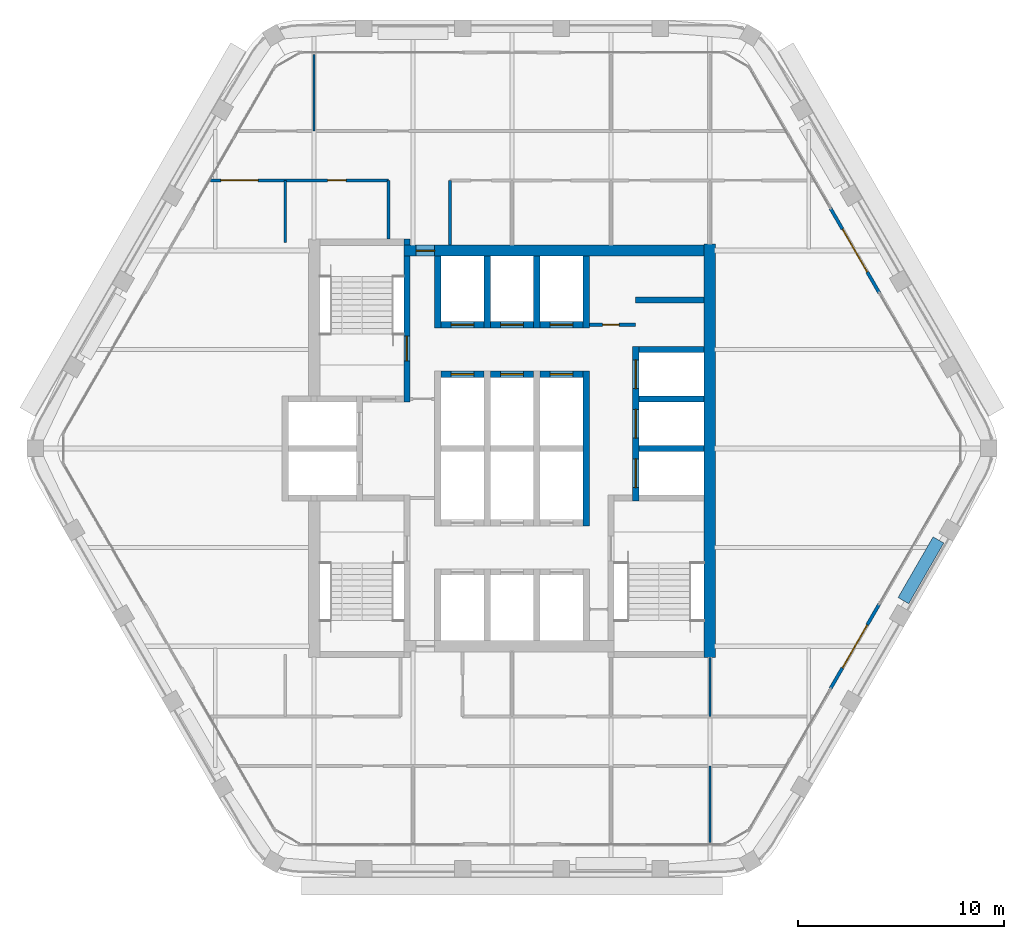
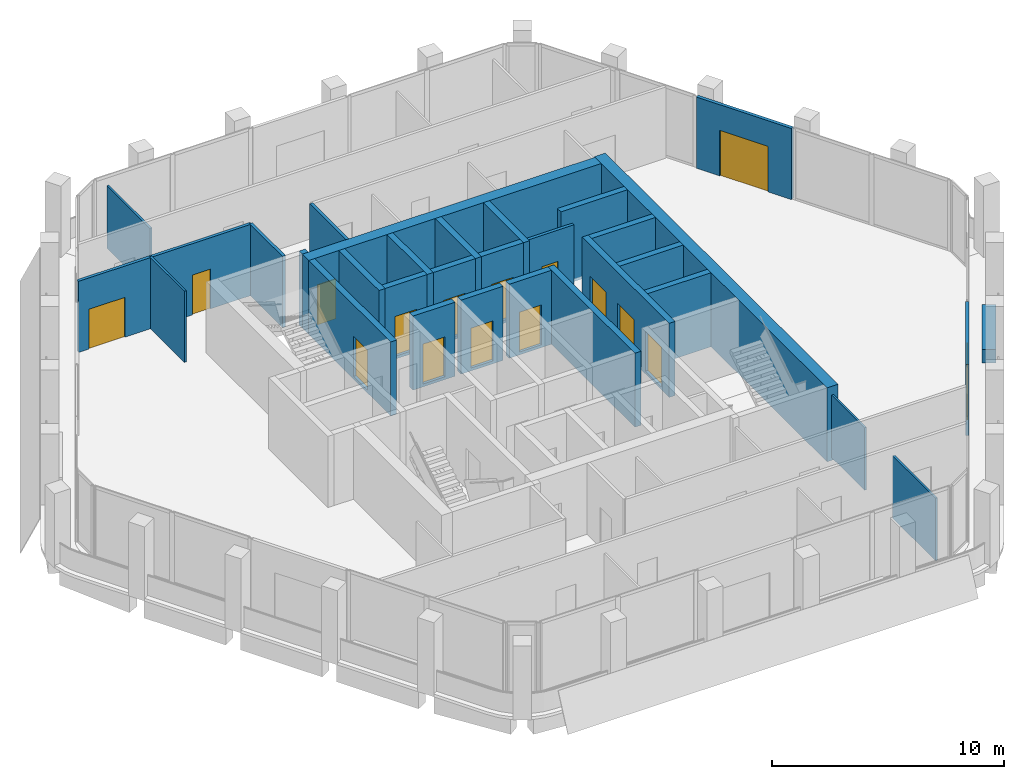
# One storey, part 9 of 13: 31 walls, 16 doors, 16 openings.
"""IFC4 building model written with IfcOpenShell, lengths in metres."""

from ifc_helpers import new_model, si_unit, direction, frame, frame_2d, origin, place, context, subcontext, project, spatial, rectangle, extrude, material, layer, layer_set, type_object, element, fill, save


model = new_model("IFC4")

# Units and contexts
model_context = context("Model", 3, precision=1e-05, world=origin(), true_north=direction((0.0, 1.0)))
body_context = subcontext(model_context, "Body", "Model", "MODEL_VIEW")
ifc_project = project(units=[si_unit("LENGTHUNIT", "METRE"), si_unit("AREAUNIT", "SQUARE_METRE"), si_unit("VOLUMEUNIT", "CUBIC_METRE"), si_unit("PLANEANGLEUNIT", "RADIAN"), si_unit("MASSUNIT", "GRAM", prefix="KILO")], contexts=[model_context])

# Site, building, storey
site_placement = place(None, origin())
site = spatial("IfcSite", under=ifc_project, at=site_placement, CompositionType="ELEMENT")
building_placement = place(site_placement, origin())
building = spatial("IfcBuilding", under=site, at=building_placement, Name="Kolab Exchange Tower", CompositionType="ELEMENT")
storey_placement = place(building_placement, frame((0.0, 0.0, 289.10009765625)))
storey = spatial("IfcBuildingStorey", under=building, at=storey_placement, Name="L65", CompositionType="ELEMENT", Elevation=289.10009765625)

# Wall, opening, door
ifc_material_1 = material(Name="Concrete C50/60", Category="concrete")
ifc_layer_1 = layer(ifc_material_1, 0.550048828125)
ifc_layer_set_1 = layer_set([ifc_layer_1], Name="Concrete C50/60")
wall_type_1 = type_object("IfcWallType", Name="CORE WALL 550 C50/60", PredefinedType="SHEAR", material=ifc_layer_set_1)
wall_1_placement = place(storey_placement, frame((-5.25, 9.60009765625, -0.150146484375), z_axis=(0.0, 0.0, 1.0), x_axis=(1.0, 0.0, 0.0)))
wall_1 = element("IfcWall", 1, at=wall_1_placement, inside=storey, type_object=wall_type_1, Name="wall/L65/core/031", PredefinedType="SHEAR", context=body_context, shape_type="SweptSolid", body=[
    extrude(rectangle(XDim=14.574951171875, YDim=0.550048828125, at=frame_2d((7.28759765625, 0.0))), origin(), (0.0, 0.0, 1.0), 3.900146484375),
])
opening_1_placement = place(wall_1_placement, frame((0.60009765625, 0.0, 0.14990234375)))
opening_1 = element("IfcOpeningElement", 2, at=opening_1_placement, cuts=wall_1, Name="Opening D6-295", PredefinedType="OPENING", context=body_context, shape_type="SweptSolid", body=[
    extrude(rectangle(XDim=0.89990234375, YDim=2.10009765625, at=frame_2d((0.449951171875, 1.050048828125))), frame((0.0, 0.28515625, 0.0), z_axis=(0.0, -1.0, 0.0), x_axis=(1.0, 0.0, 0.0)), (0.0, 0.0, 1.0), 0.570068359375),
])
ifc_material_2 = material(Name="Steel S235", Category="steel")
door_type_1 = type_object("IfcDoorType", Name="CORE DOOR 900 EI 120", OperationType="SINGLE_SWING_LEFT", PredefinedType="DOOR", material=ifc_material_2)
door_1_placement = place(opening_1_placement, frame((0.89990234375, 0.0, 0.0), z_axis=(0.0, 0.0, 1.0), x_axis=(-1.0, 0.0, 0.0)))
door_1 = element("IfcDoor", 3, at=door_1_placement, inside=storey, type_object=door_type_1, Name="Core lobby door", OperationType="SINGLE_SWING_RIGHT", OverallHeight=2.10009765625, OverallWidth=0.89990234375, PredefinedType="DOOR", context=body_context, shape_type="SweptSolid", body=[
    extrude(rectangle(XDim=0.89990234375, YDim=2.10009765625, at=frame_2d((0.449951171875, 1.050048828125))), frame((0.0, 0.02490234375, 0.0), z_axis=(0.0, -1.0, 0.0), x_axis=(1.0, 0.0, 0.0)), (0.0, 0.0, 1.0), 0.050048828125),
])
fill(opening_1, door_1)

# Wall
wall_2_placement = place(storey_placement, frame((9.60009765625, -10.14990234375, -0.150146484375), z_axis=(0.0, 0.0, 1.0), x_axis=(0.0, 1.0, 0.0)))
element("IfcWall", 4, at=wall_2_placement, inside=storey, type_object=wall_type_1, Name="wall/L65/core/058", PredefinedType="SHEAR", context=body_context, shape_type="SweptSolid", body=[
    extrude(rectangle(XDim=20.074951171875, YDim=0.550048828125, at=frame_2d((10.03759765625, 0.0))), origin(), (0.0, 0.0, 1.0), 3.900146484375),
])

# Wall, opening, door
ifc_material_3 = material(Name="Aluminium EN AW-6063 T6", Category="aluminium")
ifc_layer_2 = layer(ifc_material_3, 0.159912109375)
ifc_layer_set_2 = layer_set([ifc_layer_2], Name="Aluminium EN AW-6063 T6")
wall_type_2 = type_object("IfcWallType", Name="DOOR SURROUND WALL 160 ALUMINIUM FRAMED", PredefinedType="PARTITIONING", material=ifc_layer_set_2)
wall_3_placement = place(storey_placement, frame((15.44677734375, 11.65478515625, 0.0), z_axis=(0.0, 0.0, 1.0), x_axis=(0.499978080042, -0.866038058908, 0.0)))
wall_3 = element("IfcWall", 5, at=wall_3_placement, inside=storey, type_object=wall_type_2, Name="Door surround wall", PredefinedType="PARTITIONING", context=body_context, shape_type="SweptSolid", body=[
    extrude(rectangle(XDim=4.739990234375, YDim=0.159912109375, at=frame_2d((2.3701171875, 0.0))), origin(), (0.0, 0.0, 1.0), 3.75),
])
opening_2_placement = place(wall_3_placement, frame((1.169921875, 0.0, 0.0)))
opening_2 = element("IfcOpeningElement", 6, at=opening_2_placement, cuts=wall_3, Name="Opening GD1-090", PredefinedType="OPENING", context=body_context, shape_type="SweptSolid", body=[
    extrude(rectangle(XDim=2.39990234375, YDim=2.39990234375, at=frame_2d((1.199951171875, 1.199951171875))), frame((0.0, 0.08984375, 0.0), z_axis=(0.0, -1.0, 0.0), x_axis=(1.0, 0.0, 0.0)), (0.0, 0.0, 1.0), 0.179931640625),
])
door_type_2 = type_object("IfcDoorType", Name="LOGGIA SLIDING GLASS DOOR 2400 X 2400", OperationType="DOUBLE_DOOR_SINGLE_SWING", PredefinedType="DOOR", material=ifc_material_3)
door_2_placement = place(opening_2_placement, origin())
door_2 = element("IfcDoor", 7, at=door_2_placement, inside=storey, type_object=door_type_2, Name="Loggia door", OperationType="DOUBLE_DOOR_SLIDING", OverallHeight=2.39990234375, OverallWidth=2.39990234375, PredefinedType="DOOR", context=body_context, shape_type="SweptSolid", body=[
    extrude(rectangle(XDim=2.39990234375, YDim=2.39990234375, at=frame_2d((1.199951171875, 1.199951171875))), frame((0.0, 0.02490234375, 0.0), z_axis=(0.0, -1.0, 0.0), x_axis=(1.0, 0.0, 0.0)), (0.0, 0.0, 1.0), 0.050048828125),
])
fill(opening_2, door_2)

wall_4_placement = place(storey_placement, frame((17.816650390625, -7.5498046875, 0.0), z_axis=(0.0, 0.0, 1.0), x_axis=(-0.499978080042, -0.866038058908, 0.0)))
wall_4 = element("IfcWall", 8, at=wall_4_placement, inside=storey, type_object=wall_type_2, Name="Door surround wall", PredefinedType="PARTITIONING", context=body_context, shape_type="SweptSolid", body=[
    extrude(rectangle(XDim=4.739990234375, YDim=0.159912109375, at=frame_2d((2.3701171875, 0.0))), origin(), (0.0, 0.0, 1.0), 3.75),
])
opening_3_placement = place(wall_4_placement, frame((1.169921875, 0.0, 0.0)))
opening_3 = element("IfcOpeningElement", 9, at=opening_3_placement, cuts=wall_4, Name="Opening GD1-091", PredefinedType="OPENING", context=body_context, shape_type="SweptSolid", body=[
    extrude(rectangle(XDim=2.39990234375, YDim=2.39990234375, at=frame_2d((1.199951171875, 1.199951171875))), frame((0.0, 0.08984375, 0.0), z_axis=(0.0, -1.0, 0.0), x_axis=(1.0, 0.0, 0.0)), (0.0, 0.0, 1.0), 0.179931640625),
])
door_3_placement = place(opening_3_placement, origin())
door_3 = element("IfcDoor", 10, at=door_3_placement, inside=storey, type_object=door_type_2, Name="Loggia door", OperationType="DOUBLE_DOOR_SLIDING", OverallHeight=2.39990234375, OverallWidth=2.39990234375, PredefinedType="DOOR", context=body_context, shape_type="SweptSolid", body=[
    extrude(rectangle(XDim=2.39990234375, YDim=2.39990234375, at=frame_2d((1.199951171875, 1.199951171875))), frame((0.0, 0.02490234375, 0.0), z_axis=(0.0, -1.0, 0.0), x_axis=(1.0, 0.0, 0.0)), (0.0, 0.0, 1.0), 0.050048828125),
])
fill(opening_3, door_3)

# Walls
ifc_layer_3 = layer(ifc_material_1, 0.300048828125)
ifc_layer_set_3 = layer_set([ifc_layer_3], Name="Concrete C50/60")
wall_type_3 = type_object("IfcWallType", Name="LIFT SHAFT WALL 300 C50/60", PredefinedType="STANDARD", material=ifc_layer_set_3)
for number, where, z_axis, x_axis, name in (
    (11, (6.14990234375, 0.0, -0.150146484375), (0.0, 0.0, 1.0), (1.0, 0.0, 0.0), "wall/L65/core/018"),
    (12, (6.14990234375, 2.39990234375, -0.150146484375), (0.0, 0.0, 1.0), (1.0, 0.0, 0.0), "wall/L65/core/022"),
):
    element("IfcWall", number, at=place(storey_placement, frame(where, z_axis=z_axis, x_axis=x_axis)), inside=storey, type_object=wall_type_3, Name=name, PredefinedType="STANDARD", context=body_context, shape_type="SweptSolid", body=[
        extrude(rectangle(XDim=3.175048828125, YDim=0.300048828125, at=frame_2d((1.58740234375, 0.0))), origin(), (0.0, 0.0, 1.0), 3.900146484375),
    ])

# Wall, opening, door
wall_5_placement = place(storey_placement, frame((-3.449951171875, 3.60009765625, -0.150146484375), z_axis=(0.0, 0.0, 1.0), x_axis=(1.0, 0.0, 0.0)))
wall_5 = element("IfcWall", 13, at=wall_5_placement, inside=storey, type_object=wall_type_3, Name="wall/L65/core/023", PredefinedType="STANDARD", context=body_context, shape_type="SweptSolid", body=[
    extrude(rectangle(XDim=2.099853515625, YDim=0.300048828125, at=frame_2d((1.0498046875, 0.0))), origin(), (0.0, 0.0, 1.0), 3.900146484375),
])
opening_4_placement = place(wall_5_placement, frame((0.5, 0.0, 0.14990234375)))
opening_4 = element("IfcOpeningElement", 14, at=opening_4_placement, cuts=wall_5, Name="Opening LD1-115", PredefinedType="OPENING", context=body_context, shape_type="SweptSolid", body=[
    extrude(rectangle(XDim=1.10009765625, YDim=2.10009765625, at=frame_2d((0.550048828125, 1.050048828125))), frame((0.0, 0.16015625, 0.0), z_axis=(0.0, -1.0, 0.0), x_axis=(1.0, 0.0, 0.0)), (0.0, 0.0, 1.0), 0.320068359375),
])
ifc_material_4 = material(Name="Stainless steel 316", Category="steel")
door_type_3 = type_object("IfcDoorType", Name="LANDING DOOR 1100 PASSENGER", OperationType="DOUBLE_DOOR_SLIDING", PredefinedType="DOOR", material=ifc_material_4)
door_4_placement = place(opening_4_placement, origin())
door_4 = element("IfcDoor", 15, at=door_4_placement, inside=storey, type_object=door_type_3, Name="Landing door HR4", OperationType="DOUBLE_DOOR_SLIDING", OverallHeight=2.10009765625, OverallWidth=1.10009765625, PredefinedType="DOOR", context=body_context, shape_type="SweptSolid", body=[
    extrude(rectangle(XDim=1.10009765625, YDim=2.10009765625, at=frame_2d((0.550048828125, 1.050048828125))), frame((0.0, 0.02490234375, 0.0), z_axis=(0.0, -1.0, 0.0), x_axis=(1.0, 0.0, 0.0)), (0.0, 0.0, 1.0), 0.050048828125),
])
fill(opening_4, door_4)

wall_6_placement = place(storey_placement, frame((-1.050048828125, 3.60009765625, -0.150146484375), z_axis=(0.0, 0.0, 1.0), x_axis=(1.0, 0.0, 0.0)))
wall_6 = element("IfcWall", 16, at=wall_6_placement, inside=storey, type_object=wall_type_3, Name="wall/L65/core/024", PredefinedType="STANDARD", context=body_context, shape_type="SweptSolid", body=[
    extrude(rectangle(XDim=2.10009765625, YDim=0.300048828125, at=frame_2d((1.050048828125, 0.0))), origin(), (0.0, 0.0, 1.0), 3.900146484375),
])
opening_5_placement = place(wall_6_placement, frame((0.5, 0.0, 0.14990234375)))
opening_5 = element("IfcOpeningElement", 17, at=opening_5_placement, cuts=wall_6, Name="Opening LD1-116", PredefinedType="OPENING", context=body_context, shape_type="SweptSolid", body=[
    extrude(rectangle(XDim=1.10009765625, YDim=2.10009765625, at=frame_2d((0.550048828125, 1.050048828125))), frame((0.0, 0.16015625, 0.0), z_axis=(0.0, -1.0, 0.0), x_axis=(1.0, 0.0, 0.0)), (0.0, 0.0, 1.0), 0.320068359375),
])
door_5_placement = place(opening_5_placement, origin())
door_5 = element("IfcDoor", 18, at=door_5_placement, inside=storey, type_object=door_type_3, Name="Landing door HR5", OperationType="DOUBLE_DOOR_SLIDING", OverallHeight=2.10009765625, OverallWidth=1.10009765625, PredefinedType="DOOR", context=body_context, shape_type="SweptSolid", body=[
    extrude(rectangle(XDim=1.10009765625, YDim=2.10009765625, at=frame_2d((0.550048828125, 1.050048828125))), frame((0.0, 0.02490234375, 0.0), z_axis=(0.0, -1.0, 0.0), x_axis=(1.0, 0.0, 0.0)), (0.0, 0.0, 1.0), 0.050048828125),
])
fill(opening_5, door_5)

wall_7_placement = place(storey_placement, frame((1.35009765625, 3.60009765625, -0.150146484375), z_axis=(0.0, 0.0, 1.0), x_axis=(1.0, 0.0, 0.0)))
wall_7 = element("IfcWall", 19, at=wall_7_placement, inside=storey, type_object=wall_type_3, Name="wall/L65/core/025", PredefinedType="STANDARD", context=body_context, shape_type="SweptSolid", body=[
    extrude(rectangle(XDim=2.099853515625, YDim=0.300048828125, at=frame_2d((1.0498046875, 0.0))), origin(), (0.0, 0.0, 1.0), 3.900146484375),
])
opening_6_placement = place(wall_7_placement, frame((0.5, 0.0, 0.14990234375)))
opening_6 = element("IfcOpeningElement", 20, at=opening_6_placement, cuts=wall_7, Name="Opening LD1-117", PredefinedType="OPENING", context=body_context, shape_type="SweptSolid", body=[
    extrude(rectangle(XDim=1.10009765625, YDim=2.10009765625, at=frame_2d((0.550048828125, 1.050048828125))), frame((0.0, 0.16015625, 0.0), z_axis=(0.0, -1.0, 0.0), x_axis=(1.0, 0.0, 0.0)), (0.0, 0.0, 1.0), 0.320068359375),
])
door_6_placement = place(opening_6_placement, origin())
door_6 = element("IfcDoor", 21, at=door_6_placement, inside=storey, type_object=door_type_3, Name="Landing door HR6", OperationType="DOUBLE_DOOR_SLIDING", OverallHeight=2.10009765625, OverallWidth=1.10009765625, PredefinedType="DOOR", context=body_context, shape_type="SweptSolid", body=[
    extrude(rectangle(XDim=1.10009765625, YDim=2.10009765625, at=frame_2d((0.550048828125, 1.050048828125))), frame((0.0, 0.02490234375, 0.0), z_axis=(0.0, -1.0, 0.0), x_axis=(1.0, 0.0, 0.0)), (0.0, 0.0, 1.0), 0.050048828125),
])
fill(opening_6, door_6)

# Wall
wall_8_placement = place(storey_placement, frame((6.14990234375, 4.800048828125, -0.150146484375), z_axis=(0.0, 0.0, 1.0), x_axis=(1.0, 0.0, 0.0)))
element("IfcWall", 22, at=wall_8_placement, inside=storey, type_object=wall_type_3, Name="wall/L65/core/026", PredefinedType="STANDARD", context=body_context, shape_type="SweptSolid", body=[
    extrude(rectangle(XDim=3.175048828125, YDim=0.300048828125, at=frame_2d((1.58740234375, 0.0))), origin(), (0.0, 0.0, 1.0), 3.900146484375),
])

# Wall, opening, door
wall_9_placement = place(storey_placement, frame((-3.449951171875, 6.0, -0.150146484375), z_axis=(0.0, 0.0, 1.0), x_axis=(1.0, 0.0, 0.0)))
wall_9 = element("IfcWall", 23, at=wall_9_placement, inside=storey, type_object=wall_type_3, Name="wall/L65/core/027", PredefinedType="STANDARD", context=body_context, shape_type="SweptSolid", body=[
    extrude(rectangle(XDim=2.099853515625, YDim=0.300048828125, at=frame_2d((1.0498046875, 0.0))), origin(), (0.0, 0.0, 1.0), 3.900146484375),
])
opening_7_placement = place(wall_9_placement, frame((0.5, 0.0, 0.14990234375)))
opening_7 = element("IfcOpeningElement", 24, at=opening_7_placement, cuts=wall_9, Name="Opening LD1-109", PredefinedType="OPENING", context=body_context, shape_type="SweptSolid", body=[
    extrude(rectangle(XDim=1.10009765625, YDim=2.10009765625, at=frame_2d((0.550048828125, 1.050048828125))), frame((0.0, 0.16015625, 0.0), z_axis=(0.0, -1.0, 0.0), x_axis=(1.0, 0.0, 0.0)), (0.0, 0.0, 1.0), 0.320068359375),
])
door_7_placement = place(opening_7_placement, origin())
door_7 = element("IfcDoor", 25, at=door_7_placement, inside=storey, type_object=door_type_3, Name="Landing door HR1", OperationType="DOUBLE_DOOR_SLIDING", OverallHeight=2.10009765625, OverallWidth=1.10009765625, PredefinedType="DOOR", context=body_context, shape_type="SweptSolid", body=[
    extrude(rectangle(XDim=1.10009765625, YDim=2.10009765625, at=frame_2d((0.550048828125, 1.050048828125))), frame((0.0, 0.02490234375, 0.0), z_axis=(0.0, -1.0, 0.0), x_axis=(1.0, 0.0, 0.0)), (0.0, 0.0, 1.0), 0.050048828125),
])
fill(opening_7, door_7)

wall_10_placement = place(storey_placement, frame((-1.050048828125, 6.0, -0.150146484375), z_axis=(0.0, 0.0, 1.0), x_axis=(1.0, 0.0, 0.0)))
wall_10 = element("IfcWall", 26, at=wall_10_placement, inside=storey, type_object=wall_type_3, Name="wall/L65/core/028", PredefinedType="STANDARD", context=body_context, shape_type="SweptSolid", body=[
    extrude(rectangle(XDim=2.10009765625, YDim=0.300048828125, at=frame_2d((1.050048828125, 0.0))), origin(), (0.0, 0.0, 1.0), 3.900146484375),
])
opening_8_placement = place(wall_10_placement, frame((0.5, 0.0, 0.14990234375)))
opening_8 = element("IfcOpeningElement", 27, at=opening_8_placement, cuts=wall_10, Name="Opening LD1-113", PredefinedType="OPENING", context=body_context, shape_type="SweptSolid", body=[
    extrude(rectangle(XDim=1.10009765625, YDim=2.10009765625, at=frame_2d((0.550048828125, 1.050048828125))), frame((0.0, 0.16015625, 0.0), z_axis=(0.0, -1.0, 0.0), x_axis=(1.0, 0.0, 0.0)), (0.0, 0.0, 1.0), 0.320068359375),
])
door_8_placement = place(opening_8_placement, origin())
door_8 = element("IfcDoor", 28, at=door_8_placement, inside=storey, type_object=door_type_3, Name="Landing door HR2", OperationType="DOUBLE_DOOR_SLIDING", OverallHeight=2.10009765625, OverallWidth=1.10009765625, PredefinedType="DOOR", context=body_context, shape_type="SweptSolid", body=[
    extrude(rectangle(XDim=1.10009765625, YDim=2.10009765625, at=frame_2d((0.550048828125, 1.050048828125))), frame((0.0, 0.02490234375, 0.0), z_axis=(0.0, -1.0, 0.0), x_axis=(1.0, 0.0, 0.0)), (0.0, 0.0, 1.0), 0.050048828125),
])
fill(opening_8, door_8)

wall_11_placement = place(storey_placement, frame((1.35009765625, 6.0, -0.150146484375), z_axis=(0.0, 0.0, 1.0), x_axis=(1.0, 0.0, 0.0)))
wall_11 = element("IfcWall", 29, at=wall_11_placement, inside=storey, type_object=wall_type_3, Name="wall/L65/core/029", PredefinedType="STANDARD", context=body_context, shape_type="SweptSolid", body=[
    extrude(rectangle(XDim=2.099853515625, YDim=0.300048828125, at=frame_2d((1.0498046875, 0.0))), origin(), (0.0, 0.0, 1.0), 3.900146484375),
])
opening_9_placement = place(wall_11_placement, frame((0.5, 0.0, 0.14990234375)))
opening_9 = element("IfcOpeningElement", 30, at=opening_9_placement, cuts=wall_11, Name="Opening LD1-114", PredefinedType="OPENING", context=body_context, shape_type="SweptSolid", body=[
    extrude(rectangle(XDim=1.10009765625, YDim=2.10009765625, at=frame_2d((0.550048828125, 1.050048828125))), frame((0.0, 0.16015625, 0.0), z_axis=(0.0, -1.0, 0.0), x_axis=(1.0, 0.0, 0.0)), (0.0, 0.0, 1.0), 0.320068359375),
])
door_9_placement = place(opening_9_placement, origin())
door_9 = element("IfcDoor", 31, at=door_9_placement, inside=storey, type_object=door_type_3, Name="Landing door HR3", OperationType="DOUBLE_DOOR_SLIDING", OverallHeight=2.10009765625, OverallWidth=1.10009765625, PredefinedType="DOOR", context=body_context, shape_type="SweptSolid", body=[
    extrude(rectangle(XDim=1.10009765625, YDim=2.10009765625, at=frame_2d((0.550048828125, 1.050048828125))), frame((0.0, 0.02490234375, 0.0), z_axis=(0.0, -1.0, 0.0), x_axis=(1.0, 0.0, 0.0)), (0.0, 0.0, 1.0), 0.050048828125),
])
fill(opening_9, door_9)

# Walls
wall_12_placement = place(storey_placement, frame((6.0, 7.199951171875, -0.150146484375), z_axis=(0.0, 0.0, 1.0), x_axis=(1.0, 0.0, 0.0)))
element("IfcWall", 32, at=wall_12_placement, inside=storey, type_object=wall_type_3, Name="wall/L65/core/030", PredefinedType="STANDARD", context=body_context, shape_type="SweptSolid", body=[
    extrude(rectangle(XDim=3.324951171875, YDim=0.300048828125, at=frame_2d((1.66259765625, 0.0))), origin(), (0.0, 0.0, 1.0), 3.900146484375),
])
for number, where, z_axis, x_axis, name in (
    (33, (-3.60009765625, 5.85009765625, -0.150146484375), (0.0, 0.0, 1.0), (0.0, 1.0, 0.0), "wall/L65/core/045"),
    (34, (-1.199951171875, 5.85009765625, -0.150146484375), (0.0, 0.0, 1.0), (0.0, 1.0, 0.0), "wall/L65/core/048"),
    (35, (1.199951171875, 5.85009765625, -0.150146484375), (0.0, 0.0, 1.0), (0.0, 1.0, 0.0), "wall/L65/core/051"),
):
    element("IfcWall", number, at=place(storey_placement, frame(where, z_axis=z_axis, x_axis=x_axis)), inside=storey, type_object=wall_type_3, Name=name, PredefinedType="STANDARD", context=body_context, shape_type="SweptSolid", body=[
        extrude(rectangle(XDim=3.474853515625, YDim=0.300048828125, at=frame_2d((1.7373046875, 0.0))), origin(), (0.0, 0.0, 1.0), 3.900146484375),
    ])
wall_13_placement = place(storey_placement, frame((3.60009765625, -3.75, -0.150146484375), z_axis=(0.0, 0.0, 1.0), x_axis=(0.0, 1.0, 0.0)))
element("IfcWall", 36, at=wall_13_placement, inside=storey, type_object=wall_type_3, Name="wall/L65/core/053", PredefinedType="STANDARD", context=body_context, shape_type="SweptSolid", body=[
    extrude(rectangle(XDim=7.5, YDim=0.300048828125, at=frame_2d((3.75, 0.0))), origin(), (0.0, 0.0, 1.0), 3.900146484375),
])
wall_14_placement = place(storey_placement, frame((3.60009765625, 5.85009765625, -0.150146484375), z_axis=(0.0, 0.0, 1.0), x_axis=(0.0, 1.0, 0.0)))
element("IfcWall", 37, at=wall_14_placement, inside=storey, type_object=wall_type_3, Name="wall/L65/core/054", PredefinedType="STANDARD", context=body_context, shape_type="SweptSolid", body=[
    extrude(rectangle(XDim=3.474853515625, YDim=0.300048828125, at=frame_2d((1.7373046875, 0.0))), origin(), (0.0, 0.0, 1.0), 3.900146484375),
])

# Wall, openings, doors
wall_15_placement = place(storey_placement, frame((6.0, -2.550048828125, -0.150146484375), z_axis=(0.0, 0.0, 1.0), x_axis=(0.0, 1.0, 0.0)))
wall_15 = element("IfcWall", 38, at=wall_15_placement, inside=storey, type_object=wall_type_3, Name="wall/L65/core/057", PredefinedType="STANDARD", context=body_context, shape_type="SweptSolid", body=[
    extrude(rectangle(XDim=7.5, YDim=0.300048828125, at=frame_2d((3.75, 0.0))), origin(), (0.0, 0.0, 1.0), 3.900146484375),
])
opening_10_placement = place(wall_15_placement, frame((0.64990234375, 0.0, 0.14990234375)))
opening_10 = element("IfcOpeningElement", 39, at=opening_10_placement, cuts=wall_15, Name="Opening LD3-037", PredefinedType="OPENING", context=body_context, shape_type="SweptSolid", body=[
    extrude(rectangle(XDim=1.39990234375, YDim=2.10009765625, at=frame_2d((0.699951171875, 1.050048828125))), frame((0.0, 0.16015625, 0.0), z_axis=(0.0, -1.0, 0.0), x_axis=(1.0, 0.0, 0.0)), (0.0, 0.0, 1.0), 0.320068359375),
])
opening_11_placement = place(wall_15_placement, frame((3.050048828125, 0.0, 0.14990234375)))
opening_11 = element("IfcOpeningElement", 40, at=opening_11_placement, cuts=wall_15, Name="Opening LD3-038", PredefinedType="OPENING", context=body_context, shape_type="SweptSolid", body=[
    extrude(rectangle(XDim=1.39990234375, YDim=2.10009765625, at=frame_2d((0.699951171875, 1.050048828125))), frame((0.0, 0.16015625, 0.0), z_axis=(0.0, -1.0, 0.0), x_axis=(1.0, 0.0, 0.0)), (0.0, 0.0, 1.0), 0.320068359375),
])
opening_12_placement = place(wall_15_placement, frame((5.449951171875, 0.0, 0.14990234375)))
opening_12 = element("IfcOpeningElement", 41, at=opening_12_placement, cuts=wall_15, Name="Opening LD3-039", PredefinedType="OPENING", context=body_context, shape_type="SweptSolid", body=[
    extrude(rectangle(XDim=1.39990234375, YDim=2.10009765625, at=frame_2d((0.699951171875, 1.050048828125))), frame((0.0, 0.16015625, 0.0), z_axis=(0.0, -1.0, 0.0), x_axis=(1.0, 0.0, 0.0)), (0.0, 0.0, 1.0), 0.320068359375),
])
door_type_4 = type_object("IfcDoorType", Name="LANDING DOOR 1400 SERVICE", OperationType="DOUBLE_DOOR_SLIDING", PredefinedType="DOOR", material=ifc_material_4)
door_10_placement = place(opening_10_placement, origin())
door_10 = element("IfcDoor", 42, at=door_10_placement, inside=storey, type_object=door_type_4, Name="Landing door SV1", OperationType="DOUBLE_DOOR_SLIDING", OverallHeight=2.10009765625, OverallWidth=1.39990234375, PredefinedType="DOOR", context=body_context, shape_type="SweptSolid", body=[
    extrude(rectangle(XDim=1.39990234375, YDim=2.10009765625, at=frame_2d((0.699951171875, 1.050048828125))), frame((0.0, 0.02490234375, 0.0), z_axis=(0.0, -1.0, 0.0), x_axis=(1.0, 0.0, 0.0)), (0.0, 0.0, 1.0), 0.050048828125),
])
fill(opening_10, door_10)
door_11_placement = place(opening_11_placement, origin())
door_11 = element("IfcDoor", 43, at=door_11_placement, inside=storey, type_object=door_type_4, Name="Landing door SV2", OperationType="DOUBLE_DOOR_SLIDING", OverallHeight=2.10009765625, OverallWidth=1.39990234375, PredefinedType="DOOR", context=body_context, shape_type="SweptSolid", body=[
    extrude(rectangle(XDim=1.39990234375, YDim=2.10009765625, at=frame_2d((0.699951171875, 1.050048828125))), frame((0.0, 0.02490234375, 0.0), z_axis=(0.0, -1.0, 0.0), x_axis=(1.0, 0.0, 0.0)), (0.0, 0.0, 1.0), 0.050048828125),
])
fill(opening_11, door_11)
door_12_placement = place(opening_12_placement, origin())
door_12 = element("IfcDoor", 44, at=door_12_placement, inside=storey, type_object=door_type_4, Name="Landing door SV3", OperationType="DOUBLE_DOOR_SLIDING", OverallHeight=2.10009765625, OverallWidth=1.39990234375, PredefinedType="DOOR", context=body_context, shape_type="SweptSolid", body=[
    extrude(rectangle(XDim=1.39990234375, YDim=2.10009765625, at=frame_2d((0.699951171875, 1.050048828125))), frame((0.0, 0.02490234375, 0.0), z_axis=(0.0, -1.0, 0.0), x_axis=(1.0, 0.0, 0.0)), (0.0, 0.0, 1.0), 0.050048828125),
])
fill(opening_12, door_12)

# Walls
ifc_material_5 = material(Name="Gypsum board", Category="gypsum")
ifc_layer_4 = layer(ifc_material_5, 0.10009765625)
ifc_layer_set_4 = layer_set([ifc_layer_4], Name="Gypsum board")
wall_type_4 = type_object("IfcWallType", Name="PARTITION 100", PredefinedType="PARTITIONING", material=ifc_layer_set_4)
wall_16_placement = place(storey_placement, frame((9.60009765625, -19.114501953125, 0.0), z_axis=(0.0, 0.0, 1.0), x_axis=(0.0, 1.0, 0.0)))
element("IfcWall", 45, at=wall_16_placement, inside=storey, type_object=wall_type_4, Name="Partition 000", PredefinedType="PARTITIONING", context=body_context, shape_type="SweptSolid", body=[
    extrude(rectangle(XDim=3.714599609375, YDim=0.10009765625, at=frame_2d((1.857421875, 0.0))), origin(), (0.0, 0.0, 1.0), 3.29296875),
])
wall_17_placement = place(storey_placement, frame((9.60009765625, -13.0, 0.0), z_axis=(0.0, 0.0, 1.0), x_axis=(0.0, 1.0, 0.0)))
element("IfcWall", 46, at=wall_17_placement, inside=storey, type_object=wall_type_4, Name="Partition 001", PredefinedType="PARTITIONING", context=body_context, shape_type="SweptSolid", body=[
    extrude(rectangle(XDim=2.85009765625, YDim=0.10009765625, at=frame_2d((1.425048828125, 0.0))), origin(), (0.0, 0.0, 1.0), 3.29296875),
])
wall_18_placement = place(storey_placement, frame((-9.60009765625, 15.39990234375, 0.0), z_axis=(0.0, 0.0, 1.0), x_axis=(0.0, 1.0, 0.0)))
element("IfcWall", 47, at=wall_18_placement, inside=storey, type_object=wall_type_4, Name="Partition 015", PredefinedType="PARTITIONING", context=body_context, shape_type="SweptSolid", body=[
    extrude(rectangle(XDim=3.714599609375, YDim=0.10009765625, at=frame_2d((1.857421875, 0.0))), origin(), (0.0, 0.0, 1.0), 3.29296875),
])
wall_19_placement = place(storey_placement, frame((-11.0, 10.0, 0.0), z_axis=(0.0, 0.0, 1.0), x_axis=(0.0, 1.0, 0.0)))
element("IfcWall", 48, at=wall_19_placement, inside=storey, type_object=wall_type_4, Name="Partition 017", PredefinedType="PARTITIONING", context=body_context, shape_type="SweptSolid", body=[
    extrude(rectangle(XDim=3.0, YDim=0.10009765625, at=frame_2d((1.5, 0.0))), origin(), (0.0, 0.0, 1.0), 3.75),
])
ifc_layer_5 = layer(ifc_material_5, 0.14990234375)
ifc_layer_set_5 = layer_set([ifc_layer_5], Name="Gypsum board")
wall_type_5 = type_object("IfcWallType", Name="PARTITION 150 FIRE-RATED", PredefinedType="PARTITIONING", material=ifc_layer_set_5)
wall_20_placement = place(storey_placement, frame((-3.0, 9.875, 0.0), z_axis=(0.0, 0.0, 1.0), x_axis=(0.0, 1.0, 0.0)))
element("IfcWall", 49, at=wall_20_placement, inside=storey, type_object=wall_type_5, Name="Partition 011", PredefinedType="PARTITIONING", context=body_context, shape_type="SweptSolid", body=[
    extrude(rectangle(XDim=3.125, YDim=0.14990234375, at=frame_2d((1.5625, 0.0))), origin(), (0.0, 0.0, 1.0), 3.75),
])
wall_21_placement = place(storey_placement, frame((-6.0, 10.14990234375, 0.0), z_axis=(0.0, 0.0, 1.0), x_axis=(0.0, 1.0, 0.0)))
element("IfcWall", 50, at=wall_21_placement, inside=storey, type_object=wall_type_5, Name="Partition 014", PredefinedType="PARTITIONING", context=body_context, shape_type="SweptSolid", body=[
    extrude(rectangle(XDim=2.85009765625, YDim=0.14990234375, at=frame_2d((1.425048828125, 0.0))), origin(), (0.0, 0.0, 1.0), 3.75),
])

# Wall, opening, door
wall_22_placement = place(storey_placement, frame((3.75, 6.0, 0.0), z_axis=(0.0, 0.0, 1.0), x_axis=(1.0, 0.0, 0.0)))
wall_22 = element("IfcWall", 51, at=wall_22_placement, inside=storey, type_object=wall_type_5, Name="Partition 022", PredefinedType="PARTITIONING", context=body_context, shape_type="SweptSolid", body=[
    extrude(rectangle(XDim=2.25, YDim=0.14990234375, at=frame_2d((1.125, 0.0))), origin(), (0.0, 0.0, 1.0), 3.75),
])
opening_13_placement = place(wall_22_placement, frame((0.64990234375, 0.0, 0.0)))
opening_13 = element("IfcOpeningElement", 52, at=opening_13_placement, cuts=wall_22, Name="Opening D7-036", PredefinedType="OPENING", context=body_context, shape_type="SweptSolid", body=[
    extrude(rectangle(XDim=0.800048828125, YDim=2.10009765625, at=frame_2d((0.39990234375, 1.050048828125))), frame((0.0, 0.0849609375, 0.0), z_axis=(0.0, -1.0, 0.0), x_axis=(1.0, 0.0, 0.0)), (0.0, 0.0, 1.0), 0.169921875),
])
door_type_5 = type_object("IfcDoorType", Name="FLUSH DOOR 800 FD60", OperationType="SINGLE_SWING_LEFT", PredefinedType="DOOR", material=ifc_material_2)
door_13_placement = place(opening_13_placement, origin())
door_13 = element("IfcDoor", 53, at=door_13_placement, inside=storey, type_object=door_type_5, Name="Door L65-023", OperationType="SINGLE_SWING_LEFT", OverallHeight=2.10009765625, OverallWidth=0.800048828125, PredefinedType="DOOR", context=body_context, shape_type="SweptSolid", body=[
    extrude(rectangle(XDim=0.800048828125, YDim=2.10009765625, at=frame_2d((0.39990234375, 1.050048828125))), frame((0.0, 0.02490234375, 0.0), z_axis=(0.0, -1.0, 0.0), x_axis=(1.0, 0.0, 0.0)), (0.0, 0.0, 1.0), 0.050048828125),
])
fill(opening_13, door_13)

# Wall, openings, doors
wall_23_placement = place(storey_placement, frame((-14.623779296875, 13.0, 0.0), z_axis=(0.0, 0.0, 1.0), x_axis=(1.0, 0.0, 0.0)))
wall_23 = element("IfcWall", 54, at=wall_23_placement, inside=storey, type_object=wall_type_5, Name="Partition 023", PredefinedType="PARTITIONING", context=body_context, shape_type="SweptSolid", body=[
    extrude(rectangle(XDim=8.623779296875, YDim=0.14990234375, at=frame_2d((4.31201171875, 0.0))), origin(), (0.0, 0.0, 1.0), 3.75),
])
opening_14_placement = place(wall_23_placement, frame((5.673828125, 0.0, 0.0)))
opening_14 = element("IfcOpeningElement", 55, at=opening_14_placement, cuts=wall_23, Name="Opening D3-094", PredefinedType="OPENING", context=body_context, shape_type="SweptSolid", body=[
    extrude(rectangle(XDim=0.89990234375, YDim=2.10009765625, at=frame_2d((0.449951171875, 1.050048828125))), frame((0.0, 0.0849609375, 0.0), z_axis=(0.0, -1.0, 0.0), x_axis=(1.0, 0.0, 0.0)), (0.0, 0.0, 1.0), 0.169921875),
])
opening_15_placement = place(wall_23_placement, frame((0.501953125, 0.0, 0.0)))
opening_15 = element("IfcOpeningElement", 56, at=opening_15_placement, cuts=wall_23, Name="Opening D2-079", PredefinedType="OPENING", context=body_context, shape_type="SweptSolid", body=[
    extrude(rectangle(XDim=1.800048828125, YDim=2.10009765625, at=frame_2d((0.89990234375, 1.050048828125))), frame((0.0, 0.0849609375, 0.0), z_axis=(0.0, -1.0, 0.0), x_axis=(1.0, 0.0, 0.0)), (0.0, 0.0, 1.0), 0.169921875),
])
door_type_6 = type_object("IfcDoorType", Name="DOUBLE DOOR 1800 FD60", OperationType="DOUBLE_DOOR_SINGLE_SWING", PredefinedType="DOOR", material=ifc_material_2)
door_14_placement = place(opening_15_placement, frame((1.800048828125, 0.0, 0.0), z_axis=(0.0, 0.0, 1.0), x_axis=(-1.0, 0.0, 0.0)))
door_14 = element("IfcDoor", 57, at=door_14_placement, inside=storey, type_object=door_type_6, Name="Door L65-048", OperationType="SINGLE_SWING_LEFT", OverallHeight=2.10009765625, OverallWidth=1.800048828125, PredefinedType="DOOR", context=body_context, shape_type="SweptSolid", body=[
    extrude(rectangle(XDim=1.800048828125, YDim=2.10009765625, at=frame_2d((0.89990234375, 1.050048828125))), frame((0.0, 0.02490234375, 0.0), z_axis=(0.0, -1.0, 0.0), x_axis=(1.0, 0.0, 0.0)), (0.0, 0.0, 1.0), 0.050048828125),
])
fill(opening_15, door_14)
door_type_7 = type_object("IfcDoorType", Name="FLUSH DOOR 900 FD60", OperationType="SINGLE_SWING_LEFT", PredefinedType="DOOR", material=ifc_material_2)
door_15_placement = place(opening_14_placement, frame((0.89990234375, 0.0, 0.0), z_axis=(0.0, 0.0, 1.0), x_axis=(-1.0, 0.0, 0.0)))
door_15 = element("IfcDoor", 58, at=door_15_placement, inside=storey, type_object=door_type_7, Name="Door L65-034", OperationType="SINGLE_SWING_LEFT", OverallHeight=2.10009765625, OverallWidth=0.89990234375, PredefinedType="DOOR", context=body_context, shape_type="SweptSolid", body=[
    extrude(rectangle(XDim=0.89990234375, YDim=2.10009765625, at=frame_2d((0.449951171875, 1.050048828125))), frame((0.0, 0.02490234375, 0.0), z_axis=(0.0, -1.0, 0.0), x_axis=(1.0, 0.0, 0.0)), (0.0, 0.0, 1.0), 0.050048828125),
])
fill(opening_14, door_15)

# Wall
ifc_material_6 = material(Name="Granite facing", Category="masonry")
ifc_layer_6 = layer(ifc_material_6, 0.0400390625)
ifc_material_7 = material(Name="Concrete C40/50 precast", Category="concrete")
ifc_layer_7 = layer(ifc_material_7, 0.56005859375)
ifc_layer_set_6 = layer_set([ifc_layer_6, ifc_layer_7], Name="Concrete C40/50 precast")
wall_type_6 = type_object("IfcWallType", Name="PLANTER BOX 600 X 700 SOIL DEPTH 550", PredefinedType="USERDEFINED", material=ifc_layer_set_6)
wall_24_placement = place(storey_placement, frame((20.68701171875, -4.438232421875, 0.0), z_axis=(0.0, 0.0, 1.0), x_axis=(-0.500008388397, -0.866020560687, 0.0)))
element("IfcWall", 59, at=wall_24_placement, inside=storey, type_object=wall_type_6, Name="Planter", ObjectType="PLANTER", PredefinedType="USERDEFINED", context=body_context, shape_type="SweptSolid", body=[
    extrude(rectangle(XDim=3.39990234375, YDim=0.60009765625, at=frame_2d((1.699951171875, 0.0))), origin(), (0.0, 0.0, 1.0), 0.699951171875),
])

# Wall, opening, door
ifc_layer_8 = layer(ifc_material_1, 0.300048828125)
ifc_layer_set_7 = layer_set([ifc_layer_8], Name="Concrete C50/60")
wall_type_7 = type_object("IfcWallType", Name="STAIR ENCLOSURE WALL 300 C50/60", PredefinedType="STANDARD", material=ifc_layer_set_7)
wall_25_placement = place(storey_placement, frame((-5.10009765625, 2.25, -0.150146484375), z_axis=(0.0, 0.0, 1.0), x_axis=(0.0, 1.0, 0.0)))
wall_25 = element("IfcWall", 60, at=wall_25_placement, inside=storey, type_object=wall_type_7, Name="wall/L65/core/041", PredefinedType="STANDARD", context=body_context, shape_type="SweptSolid", body=[
    extrude(rectangle(XDim=7.074951171875, YDim=0.300048828125, at=frame_2d((3.53759765625, 0.0))), origin(), (0.0, 0.0, 1.0), 3.900146484375),
])
opening_16_placement = place(wall_25_placement, frame((2.0, 0.0, 0.14990234375)))
opening_16 = element("IfcOpeningElement", 61, at=opening_16_placement, cuts=wall_25, Name="Opening D4-076", PredefinedType="OPENING", context=body_context, shape_type="SweptSolid", body=[
    extrude(rectangle(XDim=1.199951171875, YDim=2.10009765625, at=frame_2d((0.60009765625, 1.050048828125))), frame((0.0, 0.16015625, 0.0), z_axis=(0.0, -1.0, 0.0), x_axis=(1.0, 0.0, 0.0)), (0.0, 0.0, 1.0), 0.320068359375),
])
door_type_8 = type_object("IfcDoorType", Name="STAIR DOOR 1200 EI 120", OperationType="SINGLE_SWING_LEFT", PredefinedType="DOOR", material=ifc_material_2)
door_16_placement = place(opening_16_placement, origin())
door_16 = element("IfcDoor", 62, at=door_16_placement, inside=storey, type_object=door_type_8, Name="Stair 1 door", OperationType="SINGLE_SWING_LEFT", OverallHeight=2.10009765625, OverallWidth=1.199951171875, PredefinedType="DOOR", context=body_context, shape_type="SweptSolid", body=[
    extrude(rectangle(XDim=1.199951171875, YDim=2.10009765625, at=frame_2d((0.60009765625, 1.050048828125))), frame((0.0, 0.02490234375, 0.0), z_axis=(0.0, -1.0, 0.0), x_axis=(1.0, 0.0, 0.0)), (0.0, 0.0, 1.0), 0.050048828125),
])
fill(opening_16, door_16)

# Wall
wall_26_placement = place(storey_placement, frame((-5.10009765625, 9.875, -0.150146484375), z_axis=(0.0, 0.0, 1.0), x_axis=(0.0, 1.0, 0.0)))
element("IfcWall", 63, at=wall_26_placement, inside=storey, type_object=wall_type_7, Name="wall/L65/core/042", PredefinedType="STANDARD", context=body_context, shape_type="SweptSolid", body=[
    extrude(rectangle(XDim=0.27490234375, YDim=0.300048828125, at=frame_2d((0.137451171875, 0.0))), origin(), (0.0, 0.0, 1.0), 3.900146484375),
])

save(model, "model.ifc")
